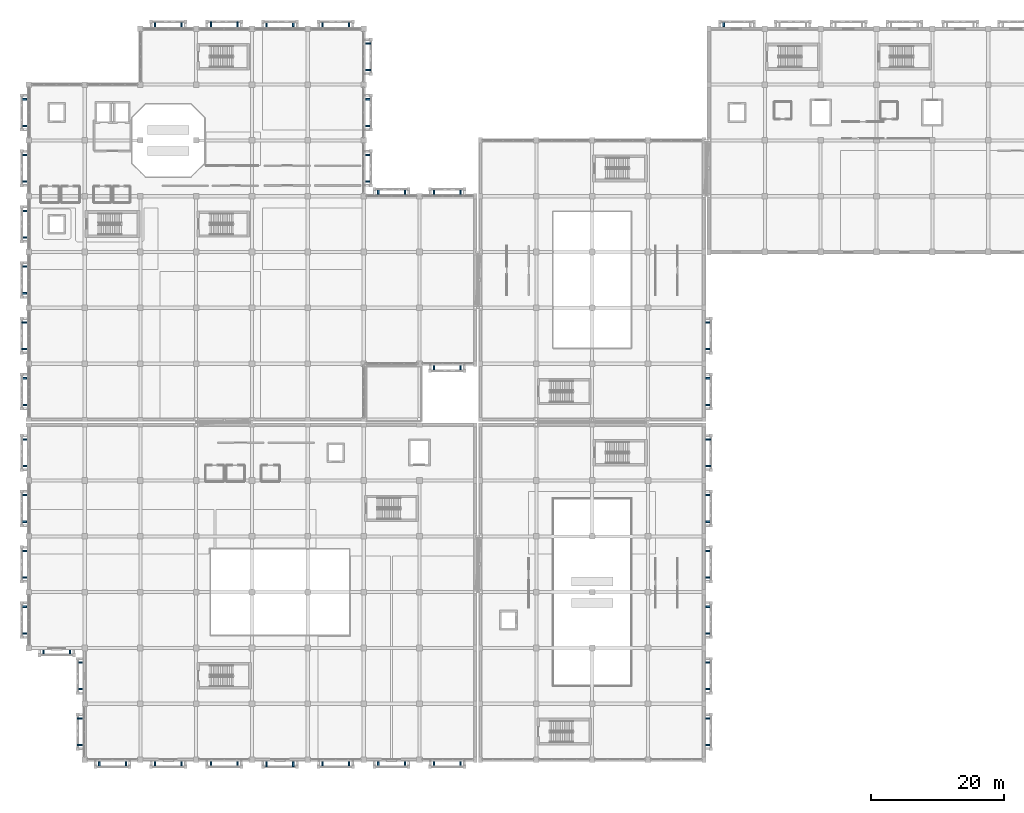
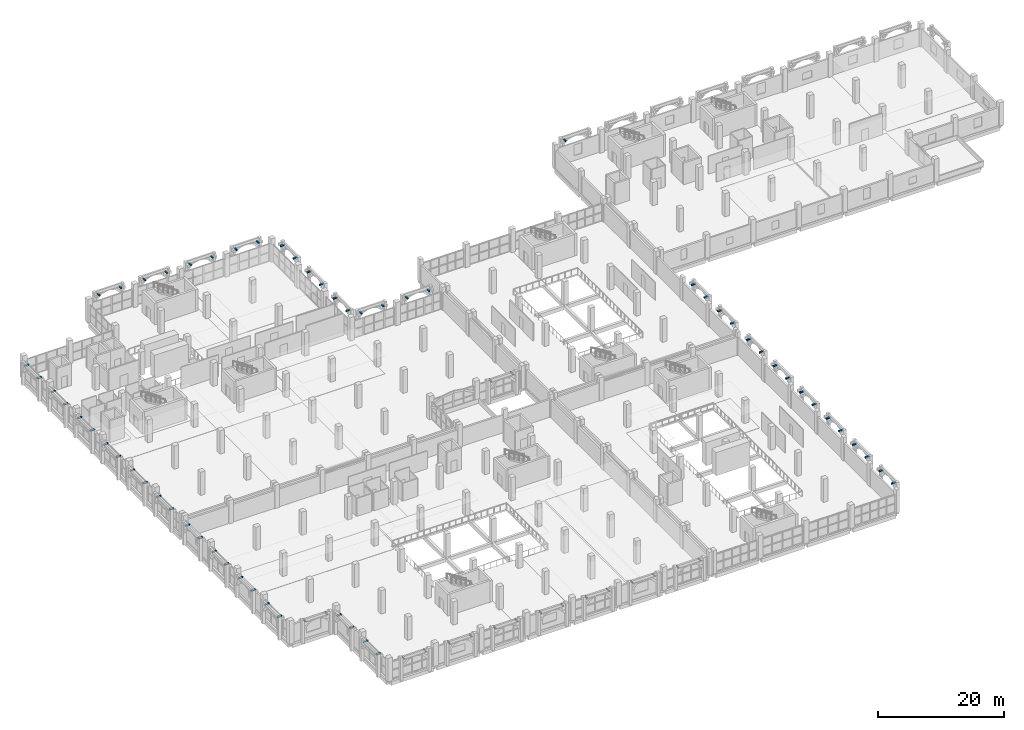
# One storey, part 122 of 137: 77 discrete accessories.
"""IFC4 building model written with IfcOpenShell, lengths in metres."""

from ifc_helpers import new_model, si_unit, direction, frame, origin, origin_2d, place, context, subcontext, project, spatial, rectangle, extrude, material, type_object, element, save


model = new_model("IFC4")

# Units and contexts
model_context = context("Model", 3, precision=1e-05, world=origin(), true_north=direction((0.0, 1.0)))
body_context = subcontext(model_context, "Body", "Model", "MODEL_VIEW")
ifc_project = project(units=[si_unit("LENGTHUNIT", "METRE"), si_unit("AREAUNIT", "SQUARE_METRE"), si_unit("VOLUMEUNIT", "CUBIC_METRE"), si_unit("PLANEANGLEUNIT", "RADIAN"), si_unit("MASSUNIT", "GRAM", prefix="KILO")], contexts=[model_context])

# Site, building, storey
site_placement = place(None, origin())
site = spatial("IfcSite", under=ifc_project, at=site_placement, CompositionType="ELEMENT")
building_placement = place(site_placement, origin())
building = spatial("IfcBuilding", under=site, at=building_placement, Name="Xazarin Passage Department Store", CompositionType="ELEMENT")
storey_placement = place(building_placement, frame((0.0, 0.0, 5.39990234375)))
storey = spatial("IfcBuildingStorey", under=building, at=storey_placement, Name="L01", CompositionType="ELEMENT", Elevation=5.39990234375)

# Discrete accessories
ifc_material = material(Name="Steel S355", Category="steel")
discrete_accessory_type = type_object("IfcDiscreteAccessoryType", Name="ARC-BRK-S355-B", PredefinedType="BRACKET", material=ifc_material)
for number, where, z_axis, x_axis, name in (
    (1, (19.0, 110.699951171875, 3.84033203125), (0.0, 0.0, 1.0), (1.0, 0.0, 0.0), "L01 V1 Spandrel Tie Bracket 0003"),
    (2, (23.0, 110.699951171875, 3.84033203125), (0.0, 0.0, 1.0), (1.0, 0.0, 0.0), "L01 V1 Spandrel Tie Bracket 0004"),
    (3, (27.39990234375, 110.699951171875, 3.84033203125), (0.0, 0.0, 1.0), (1.0, 0.0, 0.0), "L01 V1 Spandrel Tie Bracket 0019"),
    (4, (31.39990234375, 110.699951171875, 3.84033203125), (0.0, 0.0, 1.0), (1.0, 0.0, 0.0), "L01 V1 Spandrel Tie Bracket 0020"),
    (5, (35.800048828125, 110.699951171875, 3.84033203125), (0.0, 0.0, 1.0), (1.0, 0.0, 0.0), "L01 V1 Spandrel Tie Bracket 0035"),
    (6, (39.800048828125, 110.699951171875, 3.84033203125), (0.0, 0.0, 1.0), (1.0, 0.0, 0.0), "L01 V1 Spandrel Tie Bracket 0036"),
    (7, (44.199951171875, 110.699951171875, 3.84033203125), (0.0, 0.0, 1.0), (1.0, 0.0, 0.0), "L01 V1 Spandrel Tie Bracket 0047"),
    (8, (48.199951171875, 110.699951171875, 3.84033203125), (0.0, 0.0, 1.0), (1.0, 0.0, 0.0), "L01 V1 Spandrel Tie Bracket 0048"),
    (9, (52.60009765625, 85.5, 3.84033203125), (0.0, 0.0, 1.0), (1.0, 0.0, 0.0), "L01 V1 Spandrel Tie Bracket 0055"),
    (10, (56.60009765625, 85.5, 3.84033203125), (0.0, 0.0, 1.0), (1.0, 0.0, 0.0), "L01 V1 Spandrel Tie Bracket 0056"),
    (11, (61.0, 58.89990234375, 3.84033203125), (0.0, 0.0, 1.0), (1.0, 0.0, 0.0), "L01 V1 Spandrel Tie Bracket 0063"),
    (12, (65.0, 58.89990234375, 3.84033203125), (0.0, 0.0, 1.0), (1.0, 0.0, 0.0), "L01 V1 Spandrel Tie Bracket 0064"),
    (13, (61.0, 85.5, 3.84033203125), (0.0, 0.0, 1.0), (1.0, 0.0, 0.0), "L01 V1 Spandrel Tie Bracket 0067"),
    (14, (65.0, 85.5, 3.84033203125), (0.0, 0.0, 1.0), (1.0, 0.0, 0.0), "L01 V1 Spandrel Tie Bracket 0068"),
    (15, (-0.699951171875, 53.39990234375, 3.84033203125), (0.0, 0.0, 1.0), (0.0, 1.0, 0.0), "L01 V1 Spandrel Tie Bracket 0075"),
    (16, (-0.699951171875, 57.39990234375, 3.84033203125), (0.0, 0.0, 1.0), (0.0, 1.0, 0.0), "L01 V1 Spandrel Tie Bracket 0076"),
    (17, (-0.699951171875, 61.800048828125, 3.84033203125), (0.0, 0.0, 1.0), (0.0, 1.0, 0.0), "L01 V1 Spandrel Tie Bracket 0079"),
    (18, (-0.699951171875, 65.800048828125, 3.84033203125), (0.0, 0.0, 1.0), (0.0, 1.0, 0.0), "L01 V1 Spandrel Tie Bracket 0080"),
    (19, (-0.699951171875, 70.199951171875, 3.84033203125), (0.0, 0.0, 1.0), (0.0, 1.0, 0.0), "L01 V1 Spandrel Tie Bracket 0085"),
    (20, (-0.699951171875, 74.199951171875, 3.84033203125), (0.0, 0.0, 1.0), (0.0, 1.0, 0.0), "L01 V1 Spandrel Tie Bracket 0086"),
    (21, (-0.699951171875, 78.60009765625, 3.84033203125), (0.0, 0.0, 1.0), (0.0, 1.0, 0.0), "L01 V1 Spandrel Tie Bracket 0095"),
    (22, (-0.699951171875, 82.60009765625, 3.84033203125), (0.0, 0.0, 1.0), (0.0, 1.0, 0.0), "L01 V1 Spandrel Tie Bracket 0096"),
    (23, (-0.699951171875, 87.0, 3.84033203125), (0.0, 0.0, 1.0), (0.0, 1.0, 0.0), "L01 V1 Spandrel Tie Bracket 0111"),
    (24, (-0.699951171875, 91.0, 3.84033203125), (0.0, 0.0, 1.0), (0.0, 1.0, 0.0), "L01 V1 Spandrel Tie Bracket 0112"),
    (25, (-0.699951171875, 95.39990234375, 3.84033203125), (0.0, 0.0, 1.0), (0.0, 1.0, 0.0), "L01 V1 Spandrel Tie Bracket 0127"),
    (26, (-0.699951171875, 99.39990234375, 3.84033203125), (0.0, 0.0, 1.0), (0.0, 1.0, 0.0), "L01 V1 Spandrel Tie Bracket 0128"),
    (27, (51.10009765625, 87.0, 3.84033203125), (0.0, 0.0, 1.0), (0.0, 1.0, 0.0), "L01 V1 Spandrel Tie Bracket 0143"),
    (28, (51.10009765625, 91.0, 3.84033203125), (0.0, 0.0, 1.0), (0.0, 1.0, 0.0), "L01 V1 Spandrel Tie Bracket 0144"),
    (29, (51.10009765625, 95.39990234375, 3.84033203125), (0.0, 0.0, 1.0), (0.0, 1.0, 0.0), "L01 V1 Spandrel Tie Bracket 0151"),
    (30, (51.10009765625, 99.39990234375, 3.84033203125), (0.0, 0.0, 1.0), (0.0, 1.0, 0.0), "L01 V1 Spandrel Tie Bracket 0152"),
    (31, (51.10009765625, 103.800048828125, 3.84033203125), (0.0, 0.0, 1.0), (0.0, 1.0, 0.0), "L01 V1 Spandrel Tie Bracket 0159"),
    (32, (51.10009765625, 107.800048828125, 3.84033203125), (0.0, 0.0, 1.0), (0.0, 1.0, 0.0), "L01 V1 Spandrel Tie Bracket 0160"),
    (33, (102.300048828125, 2.199951171875, 3.84033203125), (0.0, 0.0, 1.0), (0.0, 1.0, 0.0), "L01 V2S Spandrel Tie Bracket 0169"),
    (34, (102.300048828125, 6.199951171875, 3.84033203125), (0.0, 0.0, 1.0), (0.0, 1.0, 0.0), "L01 V2S Spandrel Tie Bracket 0170"),
    (35, (102.300048828125, 10.60009765625, 3.84033203125), (0.0, 0.0, 1.0), (0.0, 1.0, 0.0), "L01 V2S Spandrel Tie Bracket 0175"),
    (36, (102.300048828125, 14.60009765625, 3.84033203125), (0.0, 0.0, 1.0), (0.0, 1.0, 0.0), "L01 V2S Spandrel Tie Bracket 0176"),
    (37, (102.300048828125, 19.0, 3.84033203125), (0.0, 0.0, 1.0), (0.0, 1.0, 0.0), "L01 V2S Spandrel Tie Bracket 0181"),
    (38, (102.300048828125, 23.0, 3.84033203125), (0.0, 0.0, 1.0), (0.0, 1.0, 0.0), "L01 V2S Spandrel Tie Bracket 0182"),
    (39, (102.300048828125, 27.39990234375, 3.84033203125), (0.0, 0.0, 1.0), (0.0, 1.0, 0.0), "L01 V2S Spandrel Tie Bracket 0187"),
    (40, (102.300048828125, 31.39990234375, 3.84033203125), (0.0, 0.0, 1.0), (0.0, 1.0, 0.0), "L01 V2S Spandrel Tie Bracket 0188"),
    (41, (102.300048828125, 35.800048828125, 3.84033203125), (0.0, 0.0, 1.0), (0.0, 1.0, 0.0), "L01 V2S Spandrel Tie Bracket 0193"),
    (42, (102.300048828125, 39.800048828125, 3.84033203125), (0.0, 0.0, 1.0), (0.0, 1.0, 0.0), "L01 V2S Spandrel Tie Bracket 0194"),
    (43, (102.300048828125, 44.199951171875, 3.84033203125), (0.0, 0.0, 1.0), (0.0, 1.0, 0.0), "L01 V2S Spandrel Tie Bracket 0199"),
    (44, (102.300048828125, 48.199951171875, 3.84033203125), (0.0, 0.0, 1.0), (0.0, 1.0, 0.0), "L01 V2S Spandrel Tie Bracket 0200"),
    (45, (102.300048828125, 53.39990234375, 3.84033203125), (0.0, 0.0, 1.0), (0.0, 1.0, 0.0), "L01 V2N Spandrel Tie Bracket 0205"),
    (46, (102.300048828125, 57.39990234375, 3.84033203125), (0.0, 0.0, 1.0), (0.0, 1.0, 0.0), "L01 V2N Spandrel Tie Bracket 0206"),
    (47, (102.300048828125, 61.800048828125, 3.84033203125), (0.0, 0.0, 1.0), (0.0, 1.0, 0.0), "L01 V2N Spandrel Tie Bracket 0211"),
    (48, (102.300048828125, 65.800048828125, 3.84033203125), (0.0, 0.0, 1.0), (0.0, 1.0, 0.0), "L01 V2N Spandrel Tie Bracket 0212"),
    (49, (2.199951171875, 16.10009765625, 3.84033203125), (0.0, 0.0, 1.0), (1.0, 0.0, 0.0), "L01 V3 Spandrel Tie Bracket 0217"),
    (50, (6.199951171875, 16.10009765625, 3.84033203125), (0.0, 0.0, 1.0), (1.0, 0.0, 0.0), "L01 V3 Spandrel Tie Bracket 0218"),
    (51, (10.60009765625, -0.699951171875, 3.84033203125), (0.0, 0.0, 1.0), (1.0, 0.0, 0.0), "L01 V3 Spandrel Tie Bracket 0221"),
    (52, (14.60009765625, -0.699951171875, 3.84033203125), (0.0, 0.0, 1.0), (1.0, 0.0, 0.0), "L01 V3 Spandrel Tie Bracket 0222"),
    (53, (19.0, -0.699951171875, 3.84033203125), (0.0, 0.0, 1.0), (1.0, 0.0, 0.0), "L01 V3 Spandrel Tie Bracket 0227"),
    (54, (23.0, -0.699951171875, 3.84033203125), (0.0, 0.0, 1.0), (1.0, 0.0, 0.0), "L01 V3 Spandrel Tie Bracket 0228"),
    (55, (27.39990234375, -0.699951171875, 3.84033203125), (0.0, 0.0, 1.0), (1.0, 0.0, 0.0), "L01 V3 Spandrel Tie Bracket 0233"),
    (56, (31.39990234375, -0.699951171875, 3.84033203125), (0.0, 0.0, 1.0), (1.0, 0.0, 0.0), "L01 V3 Spandrel Tie Bracket 0234"),
    (57, (35.800048828125, -0.699951171875, 3.84033203125), (0.0, 0.0, 1.0), (1.0, 0.0, 0.0), "L01 V3 Spandrel Tie Bracket 0239"),
    (58, (39.800048828125, -0.699951171875, 3.84033203125), (0.0, 0.0, 1.0), (1.0, 0.0, 0.0), "L01 V3 Spandrel Tie Bracket 0240"),
    (59, (44.199951171875, -0.699951171875, 3.84033203125), (0.0, 0.0, 1.0), (1.0, 0.0, 0.0), "L01 V3 Spandrel Tie Bracket 0245"),
    (60, (48.199951171875, -0.699951171875, 3.84033203125), (0.0, 0.0, 1.0), (1.0, 0.0, 0.0), "L01 V3 Spandrel Tie Bracket 0246"),
    (61, (52.60009765625, -0.699951171875, 3.84033203125), (0.0, 0.0, 1.0), (1.0, 0.0, 0.0), "L01 V3 Spandrel Tie Bracket 0251"),
    (62, (56.60009765625, -0.699951171875, 3.84033203125), (0.0, 0.0, 1.0), (1.0, 0.0, 0.0), "L01 V3 Spandrel Tie Bracket 0252"),
    (63, (61.0, -0.699951171875, 3.84033203125), (0.0, 0.0, 1.0), (1.0, 0.0, 0.0), "L01 V3 Spandrel Tie Bracket 0257"),
    (64, (65.0, -0.699951171875, 3.84033203125), (0.0, 0.0, 1.0), (1.0, 0.0, 0.0), "L01 V3 Spandrel Tie Bracket 0258"),
    (65, (-0.699951171875, 19.0, 3.84033203125), (0.0, 0.0, 1.0), (0.0, 1.0, 0.0), "L01 V3 Spandrel Tie Bracket 0263"),
    (66, (-0.699951171875, 23.0, 3.84033203125), (0.0, 0.0, 1.0), (0.0, 1.0, 0.0), "L01 V3 Spandrel Tie Bracket 0264"),
    (67, (-0.699951171875, 27.39990234375, 3.84033203125), (0.0, 0.0, 1.0), (0.0, 1.0, 0.0), "L01 V3 Spandrel Tie Bracket 0267"),
    (68, (-0.699951171875, 31.39990234375, 3.84033203125), (0.0, 0.0, 1.0), (0.0, 1.0, 0.0), "L01 V3 Spandrel Tie Bracket 0268"),
    (69, (-0.699951171875, 35.800048828125, 3.84033203125), (0.0, 0.0, 1.0), (0.0, 1.0, 0.0), "L01 V3 Spandrel Tie Bracket 0271"),
    (70, (-0.699951171875, 39.800048828125, 3.84033203125), (0.0, 0.0, 1.0), (0.0, 1.0, 0.0), "L01 V3 Spandrel Tie Bracket 0272"),
    (71, (-0.699951171875, 44.199951171875, 3.84033203125), (0.0, 0.0, 1.0), (0.0, 1.0, 0.0), "L01 V3 Spandrel Tie Bracket 0275"),
    (72, (-0.699951171875, 48.199951171875, 3.84033203125), (0.0, 0.0, 1.0), (0.0, 1.0, 0.0), "L01 V3 Spandrel Tie Bracket 0276"),
    (73, (7.699951171875, 2.199951171875, 3.84033203125), (0.0, 0.0, 1.0), (0.0, 1.0, 0.0), "L01 V3 Spandrel Tie Bracket 0279"),
    (74, (7.699951171875, 6.199951171875, 3.84033203125), (0.0, 0.0, 1.0), (0.0, 1.0, 0.0), "L01 V3 Spandrel Tie Bracket 0280"),
    (75, (7.699951171875, 10.60009765625, 3.84033203125), (0.0, 0.0, 1.0), (0.0, 1.0, 0.0), "L01 V3 Spandrel Tie Bracket 0285"),
    (76, (7.699951171875, 14.60009765625, 3.84033203125), (0.0, 0.0, 1.0), (0.0, 1.0, 0.0), "L01 V3 Spandrel Tie Bracket 0286"),
    (77, (104.60009765625, 110.699951171875, 3.84033203125), (0.0, 0.0, 1.0), (1.0, 0.0, 0.0), "L01 V4 Spandrel Tie Bracket 0291"),
):
    element("IfcDiscreteAccessory", number, at=place(storey_placement, frame(where, z_axis=z_axis, x_axis=x_axis)), inside=storey, type_object=discrete_accessory_type, Name=name, PredefinedType="BRACKET", context=body_context, shape_type="SweptSolid", body=[
        extrude(rectangle(XDim=0.239990234375, YDim=0.75, at=origin_2d()), origin(), (0.0, 0.0, 1.0), 0.219970703125),
    ])

save(model, "model.ifc")
